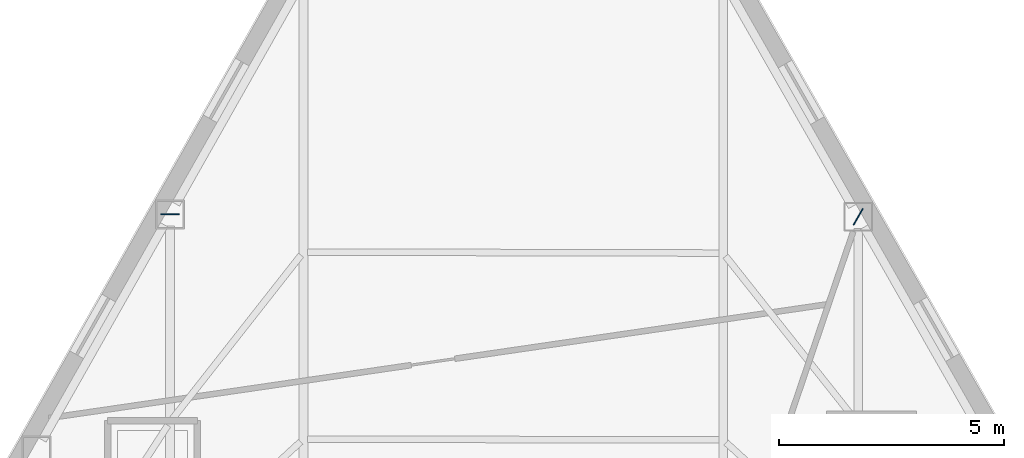
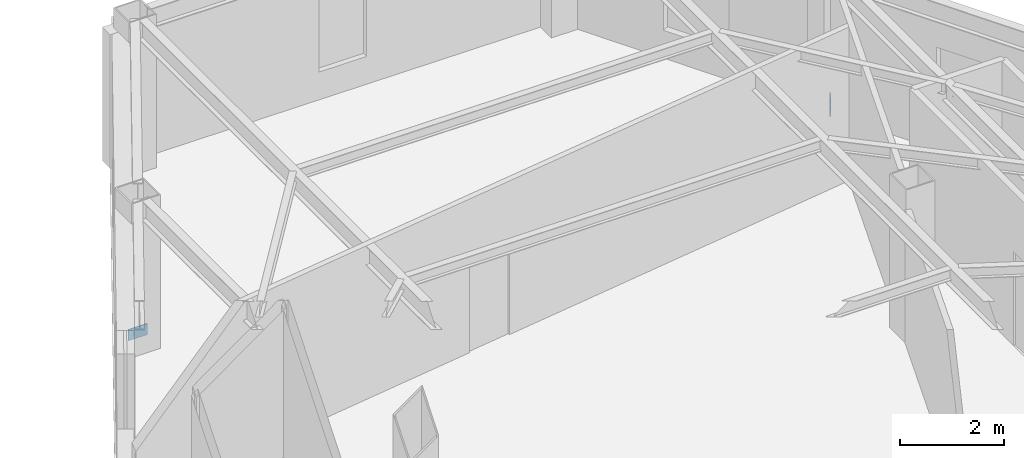
# One storey, part 7 of 13: 2 plates.
"""IFC4 building model written with IfcOpenShell, lengths in metres."""

from ifc_helpers import new_model, si_unit, direction, frame, origin, origin_2d, place, context, subcontext, project, spatial, rectangle, extrude, material, layer, layer_set, type_object, element, save


model = new_model("IFC4")

# Units and contexts
model_context = context("Model", 3, precision=1e-05, world=origin(), true_north=direction((0.0, 1.0)))
body_context = subcontext(model_context, "Body", "Model", "MODEL_VIEW")
ifc_project = project(units=[si_unit("LENGTHUNIT", "METRE"), si_unit("AREAUNIT", "SQUARE_METRE"), si_unit("VOLUMEUNIT", "CUBIC_METRE"), si_unit("PLANEANGLEUNIT", "RADIAN"), si_unit("MASSUNIT", "GRAM", prefix="KILO")], contexts=[model_context])

# Site, building, storey
site_placement = place(None, origin())
site = spatial("IfcSite", under=ifc_project, at=site_placement, CompositionType="ELEMENT")
building_placement = place(site_placement, origin())
building = spatial("IfcBuilding", under=site, at=building_placement, Name="Kavelnor Concourse Tower", CompositionType="ELEMENT")
storey_placement = place(building_placement, frame((0.0, 0.0, 168.85009765625)))
storey = spatial("IfcBuildingStorey", under=building, at=storey_placement, Name="L42", CompositionType="ELEMENT", Elevation=168.85009765625)

# Plates
ifc_material = material(Name="Steel Grade 350", Category="steel")
ifc_layer = layer(ifc_material, 0.02490234375, Name="Steel Grade 350")
ifc_layer_set = layer_set([ifc_layer], Name="Steel Grade 350")
plate_type = type_object("IfcPlateType", Name="PL-SPLICE-FLANGE", PredefinedType="SHEET", material=ifc_layer_set)
for number, where, z_axis, x_axis, name in (
    (1, (30.390380859375, 38.82568359375, 0.169921875), (0.0, 0.0, 1.0), (1.0, 0.0, 0.0), "L42 Column Flange Splice Plate F0-B1"),
    (2, (45.70458984375, 38.772216796875, 0.169921875), (0.0, 0.0, 1.0), (-0.5, -0.866025403784, 0.0), "L42 Column Flange Splice Plate F2-B5"),
):
    element("IfcPlate", number, at=place(storey_placement, frame(where, z_axis=z_axis, x_axis=x_axis)), inside=storey, type_object=plate_type, Name=name, PredefinedType="SHEET", context=body_context, shape_type="SweptSolid", body=[
        extrude(rectangle(XDim=0.419921875, YDim=0.02490234375, at=origin_2d()), origin(), (0.0, 0.0, 1.0), 0.260009765625),
    ])

save(model, "model.ifc")
